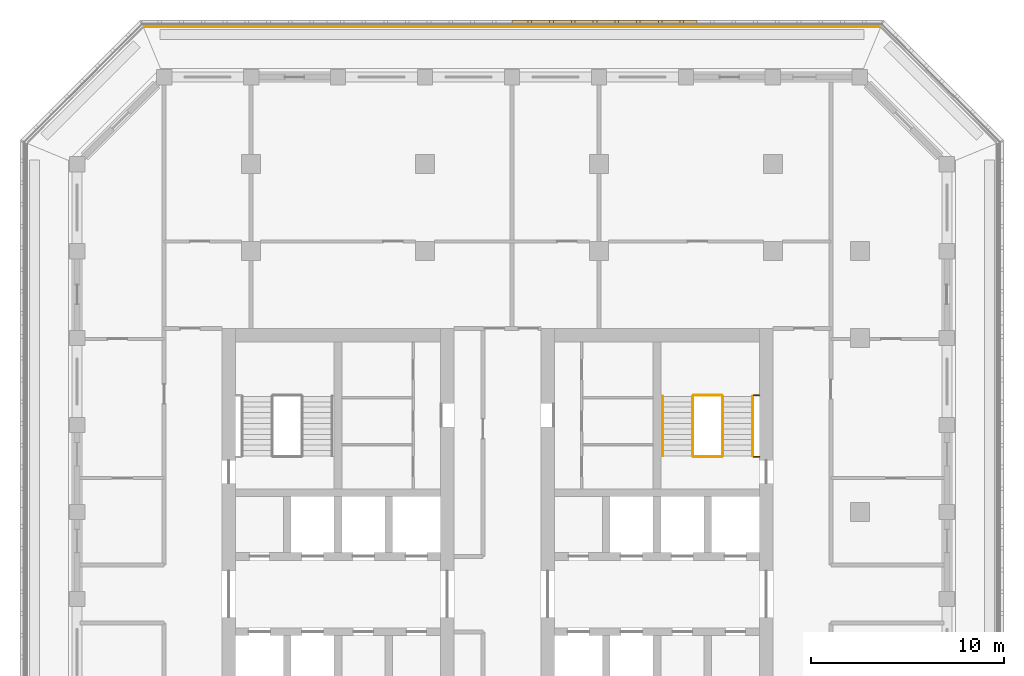
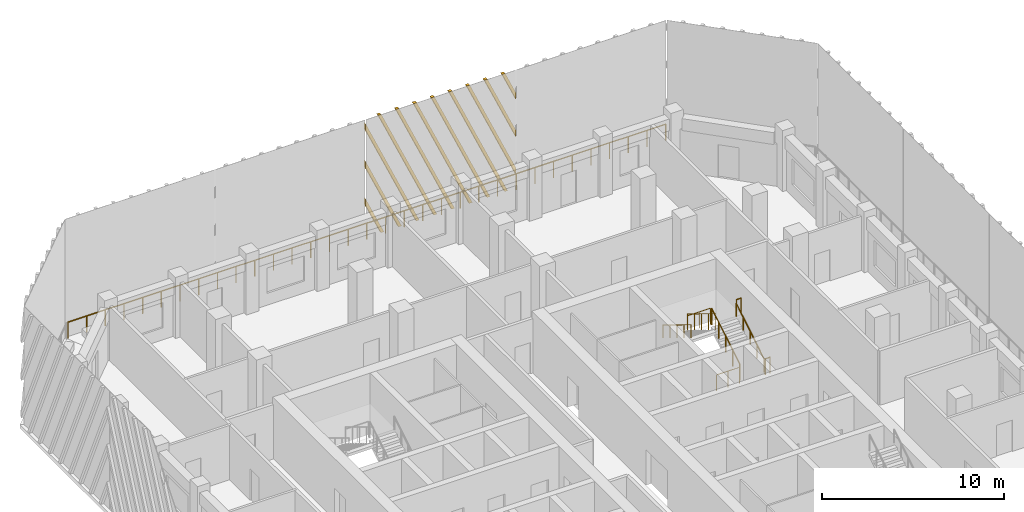
# One storey, part 15 of 17: 9 railings, 1 shading device.
"""IFC4 building model written with IfcOpenShell, lengths in metres."""

from ifc_helpers import new_model, si_unit, direction, frame, origin, origin_2d, place, context, subcontext, project, spatial, polyline, circle, outline, extrude, source, transform, mapped, material, type_object, element, save


model = new_model("IFC4")

# Units and contexts
model_context = context("Model", 3, precision=1e-05, world=origin(), true_north=direction((0.0, 1.0)))
body_context = subcontext(model_context, "Body", "Model", "MODEL_VIEW")
ifc_project = project(units=[si_unit("LENGTHUNIT", "METRE"), si_unit("AREAUNIT", "SQUARE_METRE"), si_unit("VOLUMEUNIT", "CUBIC_METRE"), si_unit("PLANEANGLEUNIT", "RADIAN"), si_unit("MASSUNIT", "GRAM", prefix="KILO")], contexts=[model_context])

# Site, building, storey
site_placement = place(None, origin())
site = spatial("IfcSite", under=ifc_project, at=site_placement, CompositionType="ELEMENT")
building_placement = place(site_placement, origin())
building = spatial("IfcBuilding", under=site, at=building_placement, Name="Corbel Stack Research Tower", CompositionType="ELEMENT")
storey_placement = place(building_placement, frame((0.0, 0.0, 248.0)))
storey = spatial("IfcBuildingStorey", under=building, at=storey_placement, Name="L56", CompositionType="ELEMENT", Elevation=248.0)

# Railings
ifc_material_1 = material(Name="Steel S355", Category="steel")
railing_type_1 = type_object("IfcRailingType", Name="Stair guard 1100", PredefinedType="GUARDRAIL", material=ifc_material_1)
railing_1_placement = place(storey_placement, frame((15.39990234375, 11.89990234375, 0.1708984375)))
element("IfcRailing", 1, at=railing_1_placement, inside=storey, type_object=railing_type_1, Name="L56 ST-E2 stair guard 1", PredefinedType="GUARDRAIL", context=body_context, shape_type="SweptSolid", body=[
    extrude(circle(Radius=0.02392578125, at=origin_2d()), frame((0.0, 0.0, 1.076171875), z_axis=(0.0, 0.853666305674, 0.52082035152), x_axis=(-1.0, 0.0, 0.0)), (0.0, 0.0, 1.0), 3.608154296875),
    extrude(circle(Radius=0.02099609375, at=origin_2d()), origin(), (0.0, 0.0, 1.0), 1.052001953125),
    extrude(circle(Radius=0.02099609375, at=origin_2d()), frame((0.0, 0.77001953125, 0.4697265625)), (0.0, 0.0, 1.0), 1.052001953125),
    extrude(circle(Radius=0.02099609375, at=origin_2d()), frame((0.0, 1.5400390625, 0.939453125)), (0.0, 0.0, 1.0), 1.052001953125),
    extrude(circle(Radius=0.02099609375, at=origin_2d()), frame((0.0, 2.31005859375, 1.409423828125)), (0.0, 0.0, 1.0), 1.052001953125),
    extrude(circle(Radius=0.02099609375, at=origin_2d()), frame((0.0, 3.080078125, 1.879150390625)), (0.0, 0.0, 1.0), 1.052001953125),
])
railing_2_placement = place(storey_placement, frame((15.35009765625, 15.030029296875, 2.050048828125)))
element("IfcRailing", 2, at=railing_2_placement, inside=storey, type_object=railing_type_1, Name="L56 ST-E2 stair guard 2", PredefinedType="GUARDRAIL", context=body_context, shape_type="SweptSolid", body=[
    extrude(circle(Radius=0.02392578125, at=origin_2d()), frame((0.0, 0.0, 1.076171875), z_axis=(-1.0, 0.0, 0.0), x_axis=(0.0, -1.0, 0.0)), (0.0, 0.0, 1.0), 1.4501953125),
    extrude(circle(Radius=0.02099609375, at=origin_2d()), origin(), (0.0, 0.0, 1.0), 1.052001953125),
    extrude(circle(Radius=0.02099609375, at=origin_2d()), frame((-0.72509765625, 0.0, 0.0)), (0.0, 0.0, 1.0), 1.052001953125),
    extrude(circle(Radius=0.02099609375, at=origin_2d()), frame((-1.4501953125, 0.0, 0.0)), (0.0, 0.0, 1.0), 1.052001953125),
])
railing_3_placement = place(storey_placement, frame((17.300048828125, 15.030029296875, 2.050048828125)))
element("IfcRailing", 3, at=railing_3_placement, inside=storey, type_object=railing_type_1, Name="L56 ST-E2 stair guard 3", PredefinedType="GUARDRAIL", context=body_context, shape_type="SweptSolid", body=[
    extrude(circle(Radius=0.02392578125, at=origin_2d()), frame((0.0, 0.0, 1.076171875), z_axis=(-1.0, 0.0, 0.0), x_axis=(0.0, -1.0, 0.0)), (0.0, 0.0, 1.0), 0.300048828125),
    extrude(circle(Radius=0.02099609375, at=origin_2d()), origin(), (0.0, 0.0, 1.0), 1.052001953125),
    extrude(circle(Radius=0.02099609375, at=origin_2d()), frame((-0.300048828125, 0.0, 0.0)), (0.0, 0.0, 1.0), 1.052001953125),
])
railing_4_placement = place(storey_placement, frame((13.85009765625, 14.97998046875, 2.220947265625)))
element("IfcRailing", 4, at=railing_4_placement, inside=storey, type_object=railing_type_1, Name="L56 ST-E2 stair guard 4", PredefinedType="GUARDRAIL", context=body_context, shape_type="SweptSolid", body=[
    extrude(circle(Radius=0.02392578125, at=origin_2d()), frame((0.0, 0.0, 1.076171875), z_axis=(0.0, -0.853666305674, 0.52082035152), x_axis=(1.0, 0.0, 0.0)), (0.0, 0.0, 1.0), 3.608154296875),
    extrude(circle(Radius=0.02099609375, at=origin_2d()), origin(), (0.0, 0.0, 1.0), 1.052001953125),
    extrude(circle(Radius=0.02099609375, at=origin_2d()), frame((0.0, -0.77001953125, 0.4697265625)), (0.0, 0.0, 1.0), 1.052001953125),
    extrude(circle(Radius=0.02099609375, at=origin_2d()), frame((0.0, -1.5400390625, 0.939453125)), (0.0, 0.0, 1.0), 1.052001953125),
    extrude(circle(Radius=0.02099609375, at=origin_2d()), frame((0.0, -2.31005859375, 1.409423828125)), (0.0, 0.0, 1.0), 1.052001953125),
    extrude(circle(Radius=0.02099609375, at=origin_2d()), frame((0.0, -3.080078125, 1.879150390625)), (0.0, 0.0, 1.0), 1.052001953125),
])
railing_5_placement = place(storey_placement, frame((15.35009765625, 11.85009765625, 0.0)))
element("IfcRailing", 5, at=railing_5_placement, inside=storey, type_object=railing_type_1, Name="L56 ST-E2 stair guard 5", PredefinedType="GUARDRAIL", context=body_context, shape_type="SweptSolid", body=[
    extrude(circle(Radius=0.02392578125, at=origin_2d()), frame((0.0, 0.0, 1.076171875), z_axis=(-1.0, 0.0, 0.0), x_axis=(0.0, -1.0, 0.0)), (0.0, 0.0, 1.0), 1.4501953125),
    extrude(circle(Radius=0.02099609375, at=origin_2d()), origin(), (0.0, 0.0, 1.0), 1.052001953125),
    extrude(circle(Radius=0.02099609375, at=origin_2d()), frame((-0.72509765625, 0.0, 0.0)), (0.0, 0.0, 1.0), 1.052001953125),
    extrude(circle(Radius=0.02099609375, at=origin_2d()), frame((-1.4501953125, 0.0, 0.0)), (0.0, 0.0, 1.0), 1.052001953125),
])
railing_6_placement = place(storey_placement, frame((17.300048828125, 11.85009765625, 0.0)))
element("IfcRailing", 6, at=railing_6_placement, inside=storey, type_object=railing_type_1, Name="L56 ST-E2 stair guard 6", PredefinedType="GUARDRAIL", context=body_context, shape_type="SweptSolid", body=[
    extrude(circle(Radius=0.02392578125, at=origin_2d()), frame((0.0, 0.0, 1.076171875), z_axis=(-1.0, 0.0, 0.0), x_axis=(0.0, -1.0, 0.0)), (0.0, 0.0, 1.0), 0.300048828125),
    extrude(circle(Radius=0.02099609375, at=origin_2d()), origin(), (0.0, 0.0, 1.0), 1.052001953125),
    extrude(circle(Radius=0.02099609375, at=origin_2d()), frame((-0.300048828125, 0.0, 0.0)), (0.0, 0.0, 1.0), 1.052001953125),
])
ifc_material_2 = material(Name="Steel S355", Category="steel")
railing_type_2 = type_object("IfcRailingType", Name="Stair handrail 900", PredefinedType="HANDRAIL", material=ifc_material_2)
railing_7_placement = place(storey_placement, frame((16.949951171875, 11.89990234375, 0.1708984375)))
element("IfcRailing", 7, at=railing_7_placement, inside=storey, type_object=railing_type_2, Name="L56 ST-E2 stair handrail 1", PredefinedType="HANDRAIL", context=body_context, shape_type="SweptSolid", body=[
    extrude(circle(Radius=0.02392578125, at=origin_2d()), frame((0.0, 0.0, 0.8759765625), z_axis=(0.0, 0.853666305674, 0.52082035152), x_axis=(-1.0, 0.0, 0.0)), (0.0, 0.0, 1.0), 3.608154296875),
    extrude(circle(Radius=0.02099609375, at=origin_2d()), origin(), (0.0, 0.0, 1.0), 0.851806640625),
    extrude(circle(Radius=0.02099609375, at=origin_2d()), frame((0.0, 0.77001953125, 0.4697265625)), (0.0, 0.0, 1.0), 0.851806640625),
    extrude(circle(Radius=0.02099609375, at=origin_2d()), frame((0.0, 1.5400390625, 0.939453125)), (0.0, 0.0, 1.0), 0.851806640625),
    extrude(circle(Radius=0.02099609375, at=origin_2d()), frame((0.0, 2.31005859375, 1.409423828125)), (0.0, 0.0, 1.0), 0.851806640625),
    extrude(circle(Radius=0.02099609375, at=origin_2d()), frame((0.0, 3.080078125, 1.879150390625)), (0.0, 0.0, 1.0), 0.851806640625),
])
railing_8_placement = place(storey_placement, frame((12.300048828125, 14.97998046875, 2.220947265625)))
element("IfcRailing", 8, at=railing_8_placement, inside=storey, type_object=railing_type_2, Name="L56 ST-E2 stair handrail 2", PredefinedType="HANDRAIL", context=body_context, shape_type="SweptSolid", body=[
    extrude(circle(Radius=0.02392578125, at=origin_2d()), frame((0.0, 0.0, 0.8759765625), z_axis=(0.0, -0.853666305674, 0.52082035152), x_axis=(1.0, 0.0, 0.0)), (0.0, 0.0, 1.0), 3.608154296875),
    extrude(circle(Radius=0.02099609375, at=origin_2d()), origin(), (0.0, 0.0, 1.0), 0.851806640625),
    extrude(circle(Radius=0.02099609375, at=origin_2d()), frame((0.0, -0.77001953125, 0.4697265625)), (0.0, 0.0, 1.0), 0.851806640625),
    extrude(circle(Radius=0.02099609375, at=origin_2d()), frame((0.0, -1.5400390625, 0.939453125)), (0.0, 0.0, 1.0), 0.851806640625),
    extrude(circle(Radius=0.02099609375, at=origin_2d()), frame((0.0, -2.31005859375, 1.409423828125)), (0.0, 0.0, 1.0), 0.851806640625),
    extrude(circle(Radius=0.02099609375, at=origin_2d()), frame((0.0, -3.080078125, 1.879150390625)), (0.0, 0.0, 1.0), 0.851806640625),
])
ifc_material_3 = material(Name="Powder-coated steel guard", Category="steel")
railing_type_3 = type_object("IfcRailingType", Name="Steel and glass guard 1100", PredefinedType="GUARDRAIL", material=ifc_material_3)
railing_9_placement = place(storey_placement, frame((23.50537109375, 34.10009765625, 0.0)))
element("IfcRailing", 9, at=railing_9_placement, inside=storey, type_object=railing_type_3, Name="Loggia guard L56 N", PredefinedType="GUARDRAIL", context=body_context, shape_type="SweptSolid", body=[
    extrude(circle(Radius=0.02392578125, at=origin_2d()), frame((0.0, 0.0, 1.076171875), z_axis=(-1.0, 0.0, 0.0), x_axis=(0.0, -1.0, 0.0)), (0.0, 0.0, 1.0), 38.0107421875),
    extrude(circle(Radius=0.02099609375, at=origin_2d()), origin(), (0.0, 0.0, 1.0), 1.052001953125),
    extrude(circle(Radius=0.02099609375, at=origin_2d()), frame((-1.187744140625, 0.0, 0.0)), (0.0, 0.0, 1.0), 1.052001953125),
    extrude(circle(Radius=0.02099609375, at=origin_2d()), frame((-2.375732421875, 0.0, 0.0)), (0.0, 0.0, 1.0), 1.052001953125),
    extrude(circle(Radius=0.02099609375, at=origin_2d()), frame((-3.5634765625, 0.0, 0.0)), (0.0, 0.0, 1.0), 1.052001953125),
    extrude(circle(Radius=0.02099609375, at=origin_2d()), frame((-4.75146484375, 0.0, 0.0)), (0.0, 0.0, 1.0), 1.052001953125),
    extrude(circle(Radius=0.02099609375, at=origin_2d()), frame((-5.939208984375, 0.0, 0.0)), (0.0, 0.0, 1.0), 1.052001953125),
    extrude(circle(Radius=0.02099609375, at=origin_2d()), frame((-7.126953125, 0.0, 0.0)), (0.0, 0.0, 1.0), 1.052001953125),
    extrude(circle(Radius=0.02099609375, at=origin_2d()), frame((-8.31494140625, 0.0, 0.0)), (0.0, 0.0, 1.0), 1.052001953125),
    extrude(circle(Radius=0.02099609375, at=origin_2d()), frame((-9.502685546875, 0.0, 0.0)), (0.0, 0.0, 1.0), 1.052001953125),
    extrude(circle(Radius=0.02099609375, at=origin_2d()), frame((-10.6904296875, 0.0, 0.0)), (0.0, 0.0, 1.0), 1.052001953125),
    extrude(circle(Radius=0.02099609375, at=origin_2d()), frame((-11.87841796875, 0.0, 0.0)), (0.0, 0.0, 1.0), 1.052001953125),
    extrude(circle(Radius=0.02099609375, at=origin_2d()), frame((-13.066162109375, 0.0, 0.0)), (0.0, 0.0, 1.0), 1.052001953125),
    extrude(circle(Radius=0.02099609375, at=origin_2d()), frame((-14.25390625, 0.0, 0.0)), (0.0, 0.0, 1.0), 1.052001953125),
    extrude(circle(Radius=0.02099609375, at=origin_2d()), frame((-15.44189453125, 0.0, 0.0)), (0.0, 0.0, 1.0), 1.052001953125),
    extrude(circle(Radius=0.02099609375, at=origin_2d()), frame((-16.629638671875, 0.0, 0.0)), (0.0, 0.0, 1.0), 1.052001953125),
    extrude(circle(Radius=0.02099609375, at=origin_2d()), frame((-17.817626953125, 0.0, 0.0)), (0.0, 0.0, 1.0), 1.052001953125),
    extrude(circle(Radius=0.02099609375, at=origin_2d()), frame((-19.00537109375, 0.0, 0.0)), (0.0, 0.0, 1.0), 1.052001953125),
    extrude(circle(Radius=0.02099609375, at=origin_2d()), frame((-20.193115234375, 0.0, 0.0)), (0.0, 0.0, 1.0), 1.052001953125),
    extrude(circle(Radius=0.02099609375, at=origin_2d()), frame((-21.381103515625, 0.0, 0.0)), (0.0, 0.0, 1.0), 1.052001953125),
    extrude(circle(Radius=0.02099609375, at=origin_2d()), frame((-22.56884765625, 0.0, 0.0)), (0.0, 0.0, 1.0), 1.052001953125),
    extrude(circle(Radius=0.02099609375, at=origin_2d()), frame((-23.7568359375, 0.0, 0.0)), (0.0, 0.0, 1.0), 1.052001953125),
    extrude(circle(Radius=0.02099609375, at=origin_2d()), frame((-24.944580078125, 0.0, 0.0)), (0.0, 0.0, 1.0), 1.052001953125),
    extrude(circle(Radius=0.02099609375, at=origin_2d()), frame((-26.13232421875, 0.0, 0.0)), (0.0, 0.0, 1.0), 1.052001953125),
    extrude(circle(Radius=0.02099609375, at=origin_2d()), frame((-27.3203125, 0.0, 0.0)), (0.0, 0.0, 1.0), 1.052001953125),
    extrude(circle(Radius=0.02099609375, at=origin_2d()), frame((-28.508056640625, 0.0, 0.0)), (0.0, 0.0, 1.0), 1.052001953125),
    extrude(circle(Radius=0.02099609375, at=origin_2d()), frame((-29.69580078125, 0.0, 0.0)), (0.0, 0.0, 1.0), 1.052001953125),
    extrude(circle(Radius=0.02099609375, at=origin_2d()), frame((-30.8837890625, 0.0, 0.0)), (0.0, 0.0, 1.0), 1.052001953125),
    extrude(circle(Radius=0.02099609375, at=origin_2d()), frame((-32.071533203125, 0.0, 0.0)), (0.0, 0.0, 1.0), 1.052001953125),
    extrude(circle(Radius=0.02099609375, at=origin_2d()), frame((-33.25927734375, 0.0, 0.0)), (0.0, 0.0, 1.0), 1.052001953125),
    extrude(circle(Radius=0.02099609375, at=origin_2d()), frame((-34.447265625, 0.0, 0.0)), (0.0, 0.0, 1.0), 1.052001953125),
    extrude(circle(Radius=0.02099609375, at=origin_2d()), frame((-35.635009765625, 0.0, 0.0)), (0.0, 0.0, 1.0), 1.052001953125),
    extrude(circle(Radius=0.02099609375, at=origin_2d()), frame((-36.822998046875, 0.0, 0.0)), (0.0, 0.0, 1.0), 1.052001953125),
    extrude(circle(Radius=0.02099609375, at=origin_2d()), frame((-38.0107421875, 0.0, 0.0)), (0.0, 0.0, 1.0), 1.052001953125),
])

# Shading device
ifc_material_4 = material(Name="Precast terracotta", Category="masonry")
shading_device_type = type_object("IfcShadingDeviceType", Name="Terracotta screen panel", PredefinedType="USERDEFINED", material=ifc_material_4)
shared_shape = source(origin(), body_context, "Body", "SweptSolid", [
    extrude(outline(polyline([(0.87548828125, 7.949951171875), (0.685546875, 7.949951171875), (0.0, 6.410400390625), (0.0, 5.983642578125), (0.87548828125, 7.949951171875)])), frame((0.0, 0.0, 0.0), z_axis=(0.0, -1.0, 0.0), x_axis=(1.0, 0.0, 0.0)), (0.0, 0.0, 1.0), 0.179931640625),
    extrude(outline(polyline([(2.00048828125, 7.949951171875), (1.810546875, 7.949951171875), (0.0, 3.883544921875), (0.0, 3.456787109375), (2.00048828125, 7.949951171875)])), frame((0.0, 0.0, 0.0), z_axis=(0.0, -1.0, 0.0), x_axis=(1.0, 0.0, 0.0)), (0.0, 0.0, 1.0), 0.179931640625),
    extrude(outline(polyline([(3.12548828125, 7.949951171875), (2.935546875, 7.949951171875), (0.0, 1.356689453125), (0.0, 0.93017578125), (3.12548828125, 7.949951171875)])), frame((0.0, 0.0, 0.0), z_axis=(0.0, -1.0, 0.0), x_axis=(1.0, 0.0, 0.0)), (0.0, 0.0, 1.0), 0.179931640625),
    extrude(outline(polyline([(0.7109375, 0.0), (4.25048828125, 7.949951171875), (4.060546875, 7.949951171875), (0.52099609375, 0.0), (0.7109375, 0.0)])), frame((0.0, 0.0, 0.0), z_axis=(0.0, -1.0, 0.0), x_axis=(1.0, 0.0, 0.0)), (0.0, 0.0, 1.0), 0.179931640625),
    extrude(outline(polyline([(1.8359375, 0.0), (5.37548828125, 7.949951171875), (5.185546875, 7.949951171875), (1.64599609375, 0.0), (1.8359375, 0.0)])), frame((0.0, 0.0, 0.0), z_axis=(0.0, -1.0, 0.0), x_axis=(1.0, 0.0, 0.0)), (0.0, 0.0, 1.0), 0.179931640625),
    extrude(outline(polyline([(2.9609375, 0.0), (6.50048828125, 7.949951171875), (6.310546875, 7.949951171875), (2.77099609375, 0.0), (2.9609375, 0.0)])), frame((0.0, 0.0, 0.0), z_axis=(0.0, -1.0, 0.0), x_axis=(1.0, 0.0, 0.0)), (0.0, 0.0, 1.0), 0.179931640625),
    extrude(outline(polyline([(4.0859375, 0.0), (7.62548828125, 7.949951171875), (7.435546875, 7.949951171875), (3.89599609375, 0.0), (4.0859375, 0.0)])), frame((0.0, 0.0, 0.0), z_axis=(0.0, -1.0, 0.0), x_axis=(1.0, 0.0, 0.0)), (0.0, 0.0, 1.0), 0.179931640625),
    extrude(outline(polyline([(5.2109375, 0.0), (8.75048828125, 7.949951171875), (8.560546875, 7.949951171875), (5.02099609375, 0.0), (5.2109375, 0.0)])), frame((0.0, 0.0, 0.0), z_axis=(0.0, -1.0, 0.0), x_axis=(1.0, 0.0, 0.0)), (0.0, 0.0, 1.0), 0.179931640625),
    extrude(outline(polyline([(6.3359375, 0.0), (9.569580078125, 7.262939453125), (9.569580078125, 7.689697265625), (6.14599609375, 0.0), (6.3359375, 0.0)])), frame((0.0, 0.0, 0.0), z_axis=(0.0, -1.0, 0.0), x_axis=(1.0, 0.0, 0.0)), (0.0, 0.0, 1.0), 0.179931640625),
    extrude(outline(polyline([(7.4609375, 0.0), (9.569580078125, 4.736083984375), (9.569580078125, 5.162841796875), (7.27099609375, 0.0), (7.4609375, 0.0)])), frame((0.0, 0.0, 0.0), z_axis=(0.0, -1.0, 0.0), x_axis=(1.0, 0.0, 0.0)), (0.0, 0.0, 1.0), 0.179931640625),
    extrude(outline(polyline([(8.5859375, 0.0), (9.569580078125, 2.209228515625), (9.569580078125, 2.635986328125), (8.39599609375, 0.0), (8.5859375, 0.0)])), frame((0.0, 0.0, 0.0), z_axis=(0.0, -1.0, 0.0), x_axis=(1.0, 0.0, 0.0)), (0.0, 0.0, 1.0), 0.179931640625),
])
shading_device_placement = place(storey_placement, frame((14.069580078125, 34.25, 0.0), z_axis=(0.0, 0.0, 1.0), x_axis=(-1.0, 0.0, 0.0)))
element("IfcShadingDevice", 10, at=shading_device_placement, inside=storey, type_object=shading_device_type, Name="Terracotta screen L56 N2", ObjectType="SCREEN", PredefinedType="USERDEFINED", context=body_context, shape_type="MappedRepresentation", body=[
    mapped(shared_shape, transform((0.0, 0.0, 0.0))),
])

save(model, "model.ifc")
